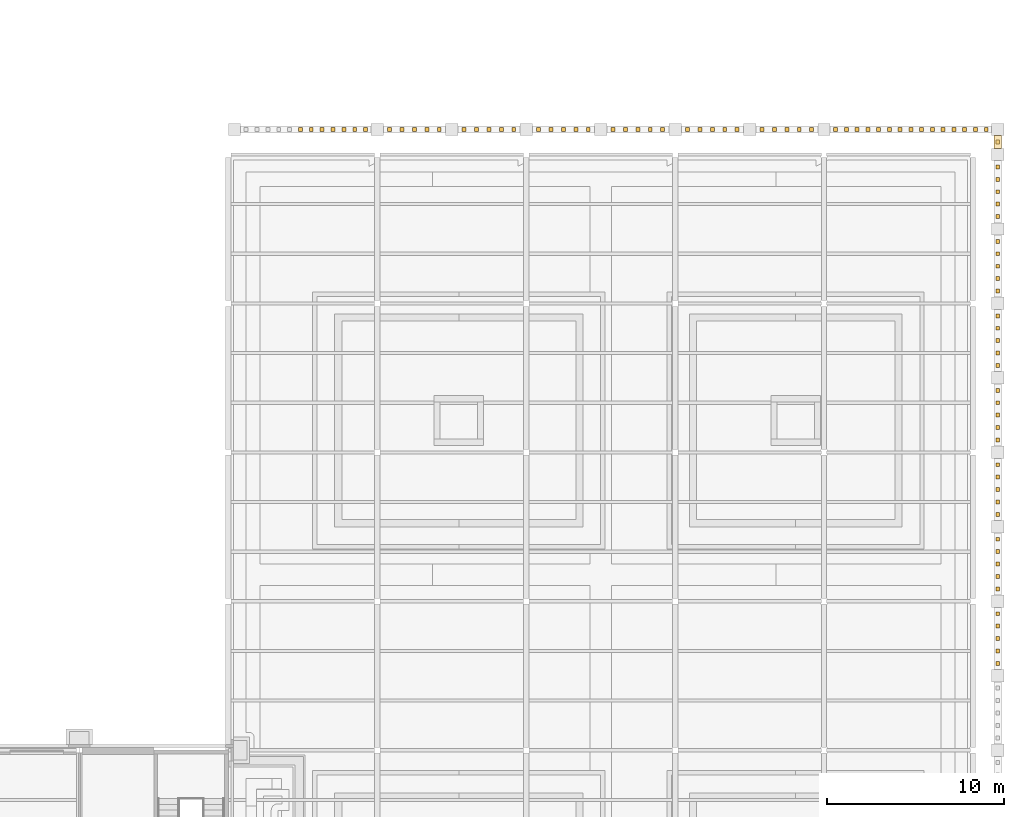
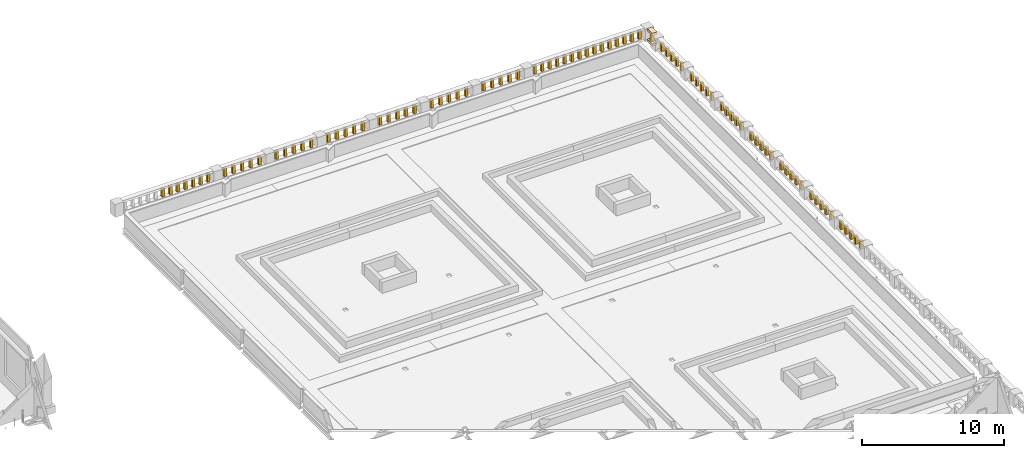
# One storey, part 75 of 76: 90 coverings.
"""IFC4 building model written with IfcOpenShell, lengths in metres."""

from ifc_helpers import new_model, si_unit, direction, frame, origin, origin_2d, place, context, subcontext, project, spatial, rectangle, extrude, material, layer, layer_set, type_object, element, save


model = new_model("IFC4")

# Units and contexts
model_context = context("Model", 3, precision=1e-05, world=origin(), true_north=direction((0.0, 1.0)))
body_context = subcontext(model_context, "Body", "Model", "MODEL_VIEW")
ifc_project = project(units=[si_unit("LENGTHUNIT", "METRE"), si_unit("AREAUNIT", "SQUARE_METRE"), si_unit("VOLUMEUNIT", "CUBIC_METRE"), si_unit("PLANEANGLEUNIT", "RADIAN"), si_unit("MASSUNIT", "GRAM", prefix="KILO")], contexts=[model_context])

# Site, building, storey
site_placement = place(None, origin())
site = spatial("IfcSite", under=ifc_project, at=site_placement, CompositionType="ELEMENT")
building_placement = place(site_placement, origin())
building = spatial("IfcBuilding", under=site, at=building_placement, Name="Sava Quay Ferry Terminal", CompositionType="ELEMENT")
storey_placement = place(building_placement, frame((0.0, 0.0, 6.0)))
storey = spatial("IfcBuildingStorey", under=building, at=storey_placement, Name="L01", CompositionType="ELEMENT", Elevation=6.0)

# Coverings
ifc_material_1 = material(Name="Limestone Mutalj", Category="masonry")
ifc_layer_1 = layer(ifc_material_1, 0.219970703125)
ifc_layer_set_1 = layer_set([ifc_layer_1], Name="Limestone Mutalj")
covering_type_1 = type_object("IfcCoveringType", Name="Baluster 220", PredefinedType="MOLDING", material=ifc_layer_set_1)
for number, where, z_axis, x_axis, name in (
    (1, (169.39990234375, 55.300048828125, 0.2001953125), (0.0, 0.0, 1.0), (1.0, 0.0, 0.0), "Baluster"),
    (2, (169.39990234375, 56.0, 0.2001953125), (0.0, 0.0, 1.0), (1.0, 0.0, 0.0), "Baluster"),
    (3, (169.39990234375, 56.699951171875, 0.2001953125), (0.0, 0.0, 1.0), (1.0, 0.0, 0.0), "Baluster"),
    (4, (169.39990234375, 57.39990234375, 0.2001953125), (0.0, 0.0, 1.0), (1.0, 0.0, 0.0), "Baluster"),
    (5, (169.39990234375, 58.10009765625, 0.2001953125), (0.0, 0.0, 1.0), (1.0, 0.0, 0.0), "Baluster"),
    (6, (169.39990234375, 59.5, 0.2001953125), (0.0, 0.0, 1.0), (1.0, 0.0, 0.0), "Baluster"),
    (7, (169.39990234375, 60.199951171875, 0.2001953125), (0.0, 0.0, 1.0), (1.0, 0.0, 0.0), "Baluster"),
    (8, (169.39990234375, 60.89990234375, 0.2001953125), (0.0, 0.0, 1.0), (1.0, 0.0, 0.0), "Baluster"),
    (9, (169.39990234375, 61.60009765625, 0.2001953125), (0.0, 0.0, 1.0), (1.0, 0.0, 0.0), "Baluster"),
    (10, (169.39990234375, 62.300048828125, 0.2001953125), (0.0, 0.0, 1.0), (1.0, 0.0, 0.0), "Baluster"),
    (11, (169.39990234375, 63.699951171875, 0.2001953125), (0.0, 0.0, 1.0), (1.0, 0.0, 0.0), "Baluster"),
    (12, (169.39990234375, 64.39990234375, 0.2001953125), (0.0, 0.0, 1.0), (1.0, 0.0, 0.0), "Baluster"),
    (13, (169.39990234375, 65.10009765625, 0.2001953125), (0.0, 0.0, 1.0), (1.0, 0.0, 0.0), "Baluster"),
    (14, (169.39990234375, 65.800048828125, 0.2001953125), (0.0, 0.0, 1.0), (1.0, 0.0, 0.0), "Baluster"),
    (15, (169.39990234375, 66.5, 0.2001953125), (0.0, 0.0, 1.0), (1.0, 0.0, 0.0), "Baluster"),
    (16, (169.39990234375, 67.89990234375, 0.2001953125), (0.0, 0.0, 1.0), (1.0, 0.0, 0.0), "Baluster"),
    (17, (169.39990234375, 68.60009765625, 0.2001953125), (0.0, 0.0, 1.0), (1.0, 0.0, 0.0), "Baluster"),
    (18, (169.39990234375, 69.300048828125, 0.2001953125), (0.0, 0.0, 1.0), (1.0, 0.0, 0.0), "Baluster"),
    (19, (169.39990234375, 70.0, 0.2001953125), (0.0, 0.0, 1.0), (1.0, 0.0, 0.0), "Baluster"),
    (20, (169.39990234375, 70.699951171875, 0.2001953125), (0.0, 0.0, 1.0), (1.0, 0.0, 0.0), "Baluster"),
    (21, (169.39990234375, 72.10009765625, 0.2001953125), (0.0, 0.0, 1.0), (1.0, 0.0, 0.0), "Baluster"),
    (22, (169.39990234375, 72.800048828125, 0.2001953125), (0.0, 0.0, 1.0), (1.0, 0.0, 0.0), "Baluster"),
    (23, (169.39990234375, 73.5, 0.2001953125), (0.0, 0.0, 1.0), (1.0, 0.0, 0.0), "Baluster"),
    (24, (169.39990234375, 74.199951171875, 0.2001953125), (0.0, 0.0, 1.0), (1.0, 0.0, 0.0), "Baluster"),
    (25, (169.39990234375, 74.89990234375, 0.2001953125), (0.0, 0.0, 1.0), (1.0, 0.0, 0.0), "Baluster"),
    (26, (169.39990234375, 76.300048828125, 0.2001953125), (0.0, 0.0, 1.0), (1.0, 0.0, 0.0), "Baluster"),
    (27, (169.39990234375, 77.0, 0.2001953125), (0.0, 0.0, 1.0), (1.0, 0.0, 0.0), "Baluster"),
    (28, (169.39990234375, 77.699951171875, 0.2001953125), (0.0, 0.0, 1.0), (1.0, 0.0, 0.0), "Baluster"),
    (29, (169.39990234375, 78.39990234375, 0.2001953125), (0.0, 0.0, 1.0), (1.0, 0.0, 0.0), "Baluster"),
    (30, (169.39990234375, 79.10009765625, 0.2001953125), (0.0, 0.0, 1.0), (1.0, 0.0, 0.0), "Baluster"),
    (31, (169.39990234375, 80.5, 0.2001953125), (0.0, 0.0, 1.0), (1.0, 0.0, 0.0), "Baluster"),
    (32, (169.39990234375, 81.199951171875, 0.2001953125), (0.0, 0.0, 1.0), (1.0, 0.0, 0.0), "Baluster"),
    (33, (169.39990234375, 81.89990234375, 0.2001953125), (0.0, 0.0, 1.0), (1.0, 0.0, 0.0), "Baluster"),
    (34, (169.39990234375, 82.60009765625, 0.2001953125), (0.0, 0.0, 1.0), (1.0, 0.0, 0.0), "Baluster"),
    (35, (169.39990234375, 83.300048828125, 0.2001953125), (0.0, 0.0, 1.0), (1.0, 0.0, 0.0), "Baluster"),
    (36, (169.39990234375, 84.705078125, 0.2001953125), (0.0, 0.0, 1.0), (1.0, 0.0, 0.0), "Baluster"),
    (37, (130.068603515625, 85.409912109375, 0.2001953125), (0.0, 0.0, 1.0), (1.0, 0.0, 0.0), "Baluster"),
    (38, (130.681396484375, 85.409912109375, 0.2001953125), (0.0, 0.0, 1.0), (1.0, 0.0, 0.0), "Baluster"),
    (39, (131.293701171875, 85.409912109375, 0.2001953125), (0.0, 0.0, 1.0), (1.0, 0.0, 0.0), "Baluster"),
    (40, (131.90625, 85.409912109375, 0.2001953125), (0.0, 0.0, 1.0), (1.0, 0.0, 0.0), "Baluster"),
    (41, (132.518798828125, 85.409912109375, 0.2001953125), (0.0, 0.0, 1.0), (1.0, 0.0, 0.0), "Baluster"),
    (42, (133.13134765625, 85.409912109375, 0.2001953125), (0.0, 0.0, 1.0), (1.0, 0.0, 0.0), "Baluster"),
    (43, (133.743896484375, 85.409912109375, 0.2001953125), (0.0, 0.0, 1.0), (1.0, 0.0, 0.0), "Baluster"),
    (44, (135.10009765625, 85.409912109375, 0.2001953125), (0.0, 0.0, 1.0), (1.0, 0.0, 0.0), "Baluster"),
    (45, (135.800048828125, 85.409912109375, 0.2001953125), (0.0, 0.0, 1.0), (1.0, 0.0, 0.0), "Baluster"),
    (46, (136.5, 85.409912109375, 0.2001953125), (0.0, 0.0, 1.0), (1.0, 0.0, 0.0), "Baluster"),
    (47, (137.199951171875, 85.409912109375, 0.2001953125), (0.0, 0.0, 1.0), (1.0, 0.0, 0.0), "Baluster"),
    (48, (137.89990234375, 85.409912109375, 0.2001953125), (0.0, 0.0, 1.0), (1.0, 0.0, 0.0), "Baluster"),
    (49, (139.300048828125, 85.409912109375, 0.2001953125), (0.0, 0.0, 1.0), (1.0, 0.0, 0.0), "Baluster"),
    (50, (140.0, 85.409912109375, 0.2001953125), (0.0, 0.0, 1.0), (1.0, 0.0, 0.0), "Baluster"),
    (51, (140.699951171875, 85.409912109375, 0.2001953125), (0.0, 0.0, 1.0), (1.0, 0.0, 0.0), "Baluster"),
    (52, (141.39990234375, 85.409912109375, 0.2001953125), (0.0, 0.0, 1.0), (1.0, 0.0, 0.0), "Baluster"),
    (53, (142.10009765625, 85.409912109375, 0.2001953125), (0.0, 0.0, 1.0), (1.0, 0.0, 0.0), "Baluster"),
    (54, (143.5, 85.409912109375, 0.2001953125), (0.0, 0.0, 1.0), (1.0, 0.0, 0.0), "Baluster"),
    (55, (144.199951171875, 85.409912109375, 0.2001953125), (0.0, 0.0, 1.0), (1.0, 0.0, 0.0), "Baluster"),
    (56, (144.89990234375, 85.409912109375, 0.2001953125), (0.0, 0.0, 1.0), (1.0, 0.0, 0.0), "Baluster"),
    (57, (145.60009765625, 85.409912109375, 0.2001953125), (0.0, 0.0, 1.0), (1.0, 0.0, 0.0), "Baluster"),
    (58, (146.300048828125, 85.409912109375, 0.2001953125), (0.0, 0.0, 1.0), (1.0, 0.0, 0.0), "Baluster"),
    (59, (147.699951171875, 85.409912109375, 0.2001953125), (0.0, 0.0, 1.0), (1.0, 0.0, 0.0), "Baluster"),
    (60, (148.39990234375, 85.409912109375, 0.2001953125), (0.0, 0.0, 1.0), (1.0, 0.0, 0.0), "Baluster"),
    (61, (149.10009765625, 85.409912109375, 0.2001953125), (0.0, 0.0, 1.0), (1.0, 0.0, 0.0), "Baluster"),
    (62, (149.800048828125, 85.409912109375, 0.2001953125), (0.0, 0.0, 1.0), (1.0, 0.0, 0.0), "Baluster"),
    (63, (150.5, 85.409912109375, 0.2001953125), (0.0, 0.0, 1.0), (1.0, 0.0, 0.0), "Baluster"),
    (64, (151.89990234375, 85.409912109375, 0.2001953125), (0.0, 0.0, 1.0), (1.0, 0.0, 0.0), "Baluster"),
    (65, (152.60009765625, 85.409912109375, 0.2001953125), (0.0, 0.0, 1.0), (1.0, 0.0, 0.0), "Baluster"),
    (66, (153.300048828125, 85.409912109375, 0.2001953125), (0.0, 0.0, 1.0), (1.0, 0.0, 0.0), "Baluster"),
    (67, (154.0, 85.409912109375, 0.2001953125), (0.0, 0.0, 1.0), (1.0, 0.0, 0.0), "Baluster"),
    (68, (154.699951171875, 85.409912109375, 0.2001953125), (0.0, 0.0, 1.0), (1.0, 0.0, 0.0), "Baluster"),
    (69, (156.10009765625, 85.409912109375, 0.2001953125), (0.0, 0.0, 1.0), (1.0, 0.0, 0.0), "Baluster"),
    (70, (156.800048828125, 85.409912109375, 0.2001953125), (0.0, 0.0, 1.0), (1.0, 0.0, 0.0), "Baluster"),
    (71, (157.5, 85.409912109375, 0.2001953125), (0.0, 0.0, 1.0), (1.0, 0.0, 0.0), "Baluster"),
    (72, (158.199951171875, 85.409912109375, 0.2001953125), (0.0, 0.0, 1.0), (1.0, 0.0, 0.0), "Baluster"),
    (73, (158.89990234375, 85.409912109375, 0.2001953125), (0.0, 0.0, 1.0), (1.0, 0.0, 0.0), "Baluster"),
    (74, (160.25341796875, 85.409912109375, 0.2001953125), (0.0, 0.0, 1.0), (1.0, 0.0, 0.0), "Baluster"),
    (75, (160.860107421875, 85.409912109375, 0.2001953125), (0.0, 0.0, 1.0), (1.0, 0.0, 0.0), "Baluster"),
    (76, (161.466796875, 85.409912109375, 0.2001953125), (0.0, 0.0, 1.0), (1.0, 0.0, 0.0), "Baluster"),
    (77, (162.0732421875, 85.409912109375, 0.2001953125), (0.0, 0.0, 1.0), (1.0, 0.0, 0.0), "Baluster"),
    (78, (162.679931640625, 85.409912109375, 0.2001953125), (0.0, 0.0, 1.0), (1.0, 0.0, 0.0), "Baluster"),
    (79, (163.28662109375, 85.409912109375, 0.2001953125), (0.0, 0.0, 1.0), (1.0, 0.0, 0.0), "Baluster"),
    (80, (163.893310546875, 85.409912109375, 0.2001953125), (0.0, 0.0, 1.0), (1.0, 0.0, 0.0), "Baluster"),
    (81, (164.5, 85.409912109375, 0.2001953125), (0.0, 0.0, 1.0), (1.0, 0.0, 0.0), "Baluster"),
    (82, (165.106689453125, 85.409912109375, 0.2001953125), (0.0, 0.0, 1.0), (1.0, 0.0, 0.0), "Baluster"),
    (83, (165.71337890625, 85.409912109375, 0.2001953125), (0.0, 0.0, 1.0), (1.0, 0.0, 0.0), "Baluster"),
    (84, (166.320068359375, 85.409912109375, 0.2001953125), (0.0, 0.0, 1.0), (1.0, 0.0, 0.0), "Baluster"),
    (85, (166.9267578125, 85.409912109375, 0.2001953125), (0.0, 0.0, 1.0), (1.0, 0.0, 0.0), "Baluster"),
    (86, (167.533203125, 85.409912109375, 0.2001953125), (0.0, 0.0, 1.0), (1.0, 0.0, 0.0), "Baluster"),
    (87, (168.139892578125, 85.409912109375, 0.2001953125), (0.0, 0.0, 1.0), (1.0, 0.0, 0.0), "Baluster"),
    (88, (168.74658203125, 85.409912109375, 0.2001953125), (0.0, 0.0, 1.0), (1.0, 0.0, 0.0), "Baluster"),
):
    element("IfcCovering", number, at=place(storey_placement, frame(where, z_axis=z_axis, x_axis=x_axis)), inside=storey, type_object=covering_type_1, Name=name, PredefinedType="MOLDING", context=body_context, shape_type="SweptSolid", body=[
        extrude(rectangle(XDim=0.219970703125, YDim=0.219970703125, at=origin_2d()), origin(), (0.0, 0.0, 1.0), 0.699951171875),
    ])
ifc_material_2 = material(Name="Limestone Mutalj", Category="masonry")
ifc_layer_2 = layer(ifc_material_2, 0.39990234375)
ifc_layer_set_2 = layer_set([ifc_layer_2], Name="Limestone Mutalj")
covering_type_2 = type_object("IfcCoveringType", Name="Balustrade rail 400", PredefinedType="MOLDING", material=ifc_layer_set_2)
for number, where, z_axis, x_axis, name in (
    (89, (169.39990234375, 84.705078125, 0.0), (0.0, 0.0, 1.0), (1.0, 0.0, 0.0), "Balustrade rail"),
    (90, (169.39990234375, 84.705078125, 0.89990234375), (0.0, 0.0, 1.0), (1.0, 0.0, 0.0), "Balustrade rail"),
):
    element("IfcCovering", number, at=place(storey_placement, frame(where, z_axis=z_axis, x_axis=x_axis)), inside=storey, type_object=covering_type_2, Name=name, PredefinedType="MOLDING", context=body_context, shape_type="SweptSolid", body=[
        extrude(rectangle(XDim=0.39990234375, YDim=0.7099609375, at=origin_2d()), origin(), (0.0, 0.0, 1.0), 0.199951171875),
    ])

save(model, "model.ifc")
